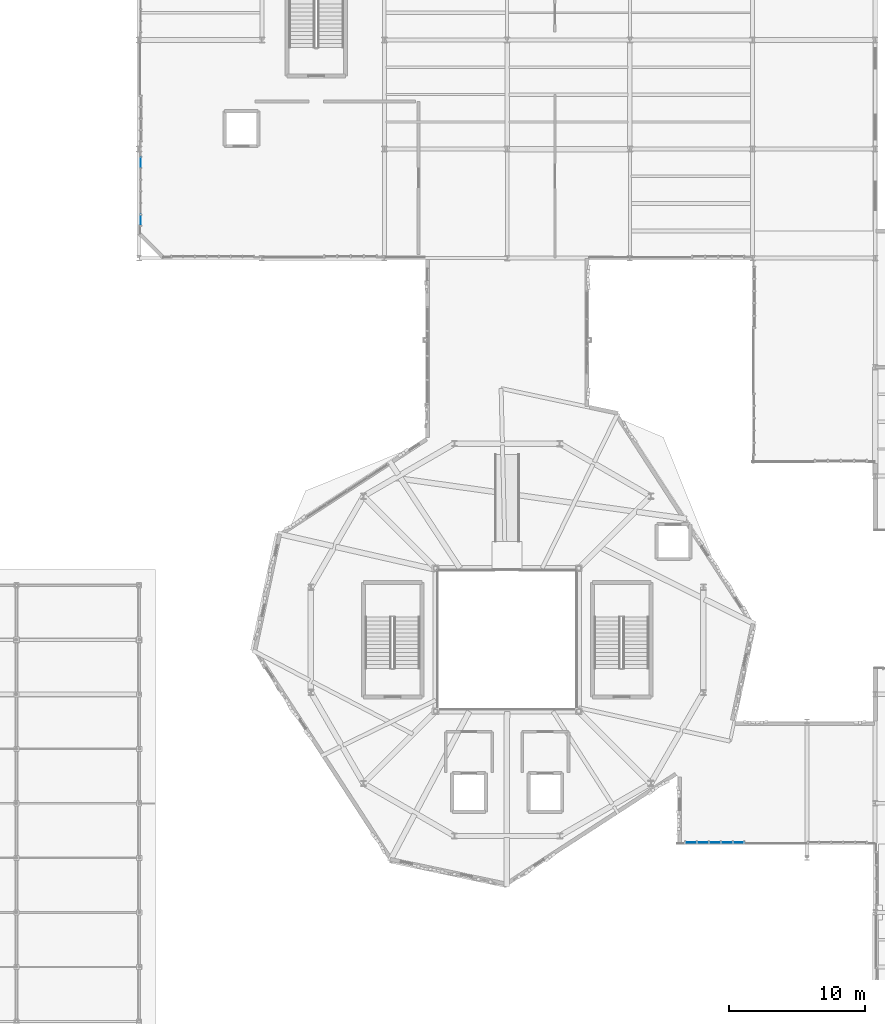
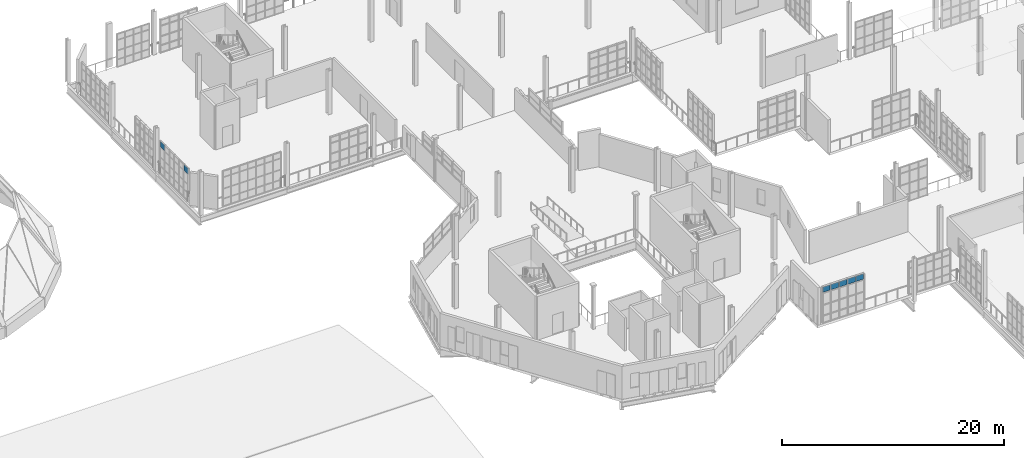
# One storey, part 100 of 118: 7 plates, 2 elements without a shape of their own.
"""IFC4 building model written with IfcOpenShell, lengths in metres."""

from ifc_helpers import new_model, si_unit, direction, frame, origin, origin_2d, place, context, subcontext, project, spatial, rectangle, extrude, material, layer, layer_set, type_object, element, aggregate, save


model = new_model("IFC4")

# Units and contexts
model_context = context("Model", 3, precision=1e-05, world=origin(), true_north=direction((0.0, 1.0)))
body_context = subcontext(model_context, "Body", "Model", "MODEL_VIEW")
ifc_project = project(units=[si_unit("LENGTHUNIT", "METRE"), si_unit("AREAUNIT", "SQUARE_METRE"), si_unit("VOLUMEUNIT", "CUBIC_METRE"), si_unit("PLANEANGLEUNIT", "RADIAN"), si_unit("MASSUNIT", "GRAM", prefix="KILO"), si_unit("THERMODYNAMICTEMPERATUREUNIT", "KELVIN"), si_unit("POWERUNIT", "WATT")], contexts=[model_context])

# Site, building, storey
site_placement = place(None, origin())
site = spatial("IfcSite", under=ifc_project, at=site_placement, CompositionType="ELEMENT")
building_placement = place(site_placement, origin())
building = spatial("IfcBuilding", under=site, at=building_placement, Name="Zelmaris Science Centre", CompositionType="ELEMENT")
storey_placement = place(building_placement, frame((0.0, 0.0, 15.60009765625)))
storey = spatial("IfcBuildingStorey", under=building, at=storey_placement, Name="L03", CompositionType="ELEMENT", Elevation=15.60009765625)

# Curtain wall, plates
ifc_material_1 = material(Name="Anodised architectural aluminium 6063-T6", Category="aluminium")
ifc_layer_1 = layer(ifc_material_1, 0.18994140625, Name="Anodised architectural aluminium 6063-T6")
ifc_layer_set_1 = layer_set([ifc_layer_1], Name="Anodised architectural aluminium 6063-T6")
curtain_wall_type_1 = type_object("IfcCurtainWallType", Name="Curtain Wall CW-01", PredefinedType="USERDEFINED", material=ifc_layer_set_1)
curtain_wall_1_placement = place(storey_placement, origin())
curtain_wall_1 = element("IfcCurtainWall", 1, at=curtain_wall_1_placement, inside=storey, type_object=curtain_wall_type_1, Name="L03 Unitised curtain wall 313", ObjectType="GLAZED CURTAIN WALL", PredefinedType="USERDEFINED")
ifc_material_2 = material(Name="Laminated hurricane-rated low-E insulated glazing", Category="glass")
ifc_layer_2 = layer(ifc_material_2, 0.031982421875, Name="Laminated hurricane-rated low-E insulated glazing")
ifc_layer_set_2 = layer_set([ifc_layer_2], Name="Laminated hurricane-rated low-E insulated glazing")
plate_type_1 = type_object("IfcPlateType", Name="Curtain Glazing Panel CWP-1 32mm", PredefinedType="CURTAIN_PANEL", material=ifc_layer_set_2)
plate_1_placement = place(storey_placement, frame((97.9580078125, 21.1201171875, 3.36572265625), z_axis=(0.0, 0.0, 1.0), x_axis=(-0.999999999739, 2.286603e-05, 0.0)))
plate_1 = element("IfcPlate", 2, at=plate_1_placement, type_object=plate_type_1, Name="CW-01 panel 1.4", PredefinedType="CURTAIN_PANEL", context=body_context, shape_type="SweptSolid", body=[
    extrude(rectangle(XDim=0.7666015625, YDim=0.031982421875, at=origin_2d()), origin(), (0.0, 0.0, 1.0), 0.592041015625),
])
plate_2_placement = place(storey_placement, frame((97.101318359375, 21.1201171875, 3.36572265625), z_axis=(0.0, 0.0, 1.0), x_axis=(-0.999999999739, 2.286603e-05, 0.0)))
plate_2 = element("IfcPlate", 3, at=plate_2_placement, type_object=plate_type_1, Name="CW-01 panel 2.4", PredefinedType="CURTAIN_PANEL", context=body_context, shape_type="SweptSolid", body=[
    extrude(rectangle(XDim=0.802734375, YDim=0.031982421875, at=origin_2d()), origin(), (0.0, 0.0, 1.0), 0.592041015625),
])
plate_3_placement = place(storey_placement, frame((96.226806640625, 21.1201171875, 3.36572265625), z_axis=(0.0, 0.0, 1.0), x_axis=(-0.999999999739, 2.286603e-05, 0.0)))
plate_3 = element("IfcPlate", 4, at=plate_3_placement, type_object=plate_type_1, Name="CW-01 panel 3.4", PredefinedType="CURTAIN_PANEL", context=body_context, shape_type="SweptSolid", body=[
    extrude(rectangle(XDim=0.802734375, YDim=0.031982421875, at=origin_2d()), origin(), (0.0, 0.0, 1.0), 0.592041015625),
])
plate_4_placement = place(storey_placement, frame((95.35205078125, 21.1201171875, 3.36572265625), z_axis=(0.0, 0.0, 1.0), x_axis=(-0.999999999739, 2.286603e-05, 0.0)))
plate_4 = element("IfcPlate", 5, at=plate_4_placement, type_object=plate_type_1, Name="CW-01 panel 4.4", PredefinedType="CURTAIN_PANEL", context=body_context, shape_type="SweptSolid", body=[
    extrude(rectangle(XDim=0.802734375, YDim=0.031982421875, at=origin_2d()), origin(), (0.0, 0.0, 1.0), 0.592041015625),
])
plate_5_placement = place(storey_placement, frame((94.495361328125, 21.1201171875, 3.36572265625), z_axis=(0.0, 0.0, 1.0), x_axis=(-0.999999999739, 2.286603e-05, 0.0)))
plate_5 = element("IfcPlate", 6, at=plate_5_placement, type_object=plate_type_1, Name="CW-01 panel 5.4", PredefinedType="CURTAIN_PANEL", context=body_context, shape_type="SweptSolid", body=[
    extrude(rectangle(XDim=0.7666015625, YDim=0.031982421875, at=origin_2d()), origin(), (0.0, 0.0, 1.0), 0.592041015625),
])
aggregate(curtain_wall_1, [plate_1, plate_2, plate_3, plate_4, plate_5])

ifc_layer_3 = layer(ifc_material_1, 0.219970703125, Name="Anodised architectural aluminium 6063-T6")
ifc_layer_set_3 = layer_set([ifc_layer_3], Name="Anodised architectural aluminium 6063-T6")
curtain_wall_type_2 = type_object("IfcCurtainWallType", Name="Curtain Wall CW-04", PredefinedType="USERDEFINED", material=ifc_layer_set_3)
curtain_wall_2_placement = place(storey_placement, origin())
curtain_wall_2 = element("IfcCurtainWall", 7, at=curtain_wall_2_placement, inside=storey, type_object=curtain_wall_type_2, Name="L03 Unitised curtain wall 276", ObjectType="GLAZED CURTAIN WALL", PredefinedType="USERDEFINED")
ifc_layer_4 = layer(ifc_material_2, 0.02392578125, Name="Laminated hurricane-rated low-E insulated glazing")
ifc_layer_set_4 = layer_set([ifc_layer_4], Name="Laminated hurricane-rated low-E insulated glazing")
plate_type_2 = type_object("IfcPlateType", Name="Curtain Glazing Panel CWP-4 24mm", PredefinedType="CURTAIN_PANEL", material=ifc_layer_set_4)
plate_6_placement = place(storey_placement, frame((54.1201171875, 66.77978515625, 2.928955078125), z_axis=(0.0, 0.0, 1.0), x_axis=(0.0, 1.0, 0.0)))
plate_6 = element("IfcPlate", 8, at=plate_6_placement, type_object=plate_type_2, Name="CW-04 panel 1.4", PredefinedType="CURTAIN_PANEL", context=body_context, shape_type="SweptSolid", body=[
    extrude(rectangle(XDim=0.775390625, YDim=0.02392578125, at=origin_2d()), origin(), (0.0, 0.0, 1.0), 0.6220703125),
])
plate_7_placement = place(storey_placement, frame((54.1201171875, 71.020263671875, 2.928955078125), z_axis=(0.0, 0.0, 1.0), x_axis=(0.0, 1.0, 0.0)))
plate_7 = element("IfcPlate", 9, at=plate_7_placement, type_object=plate_type_2, Name="CW-04 panel 6.4", PredefinedType="CURTAIN_PANEL", context=body_context, shape_type="SweptSolid", body=[
    extrude(rectangle(XDim=0.775390625, YDim=0.02392578125, at=origin_2d()), origin(), (0.0, 0.0, 1.0), 0.6220703125),
])
aggregate(curtain_wall_2, [plate_6, plate_7])

save(model, "model.ifc")
